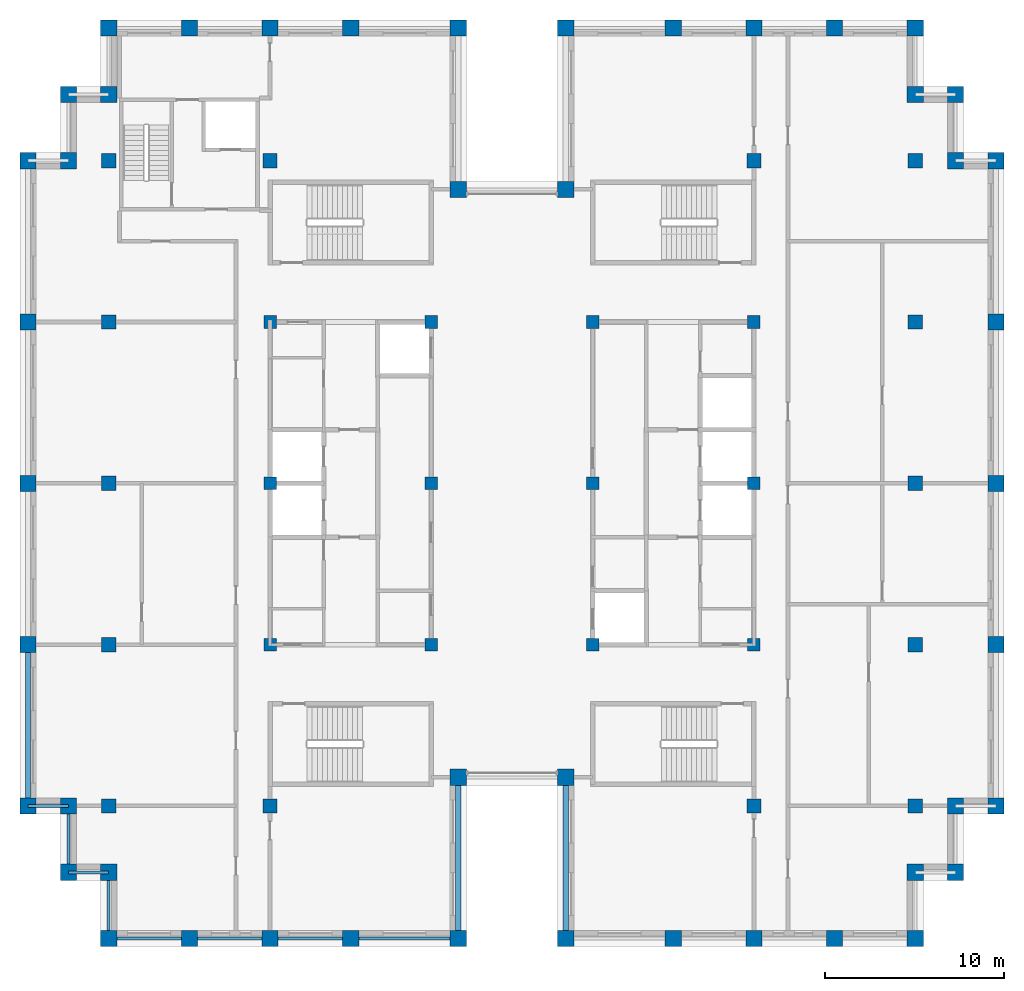
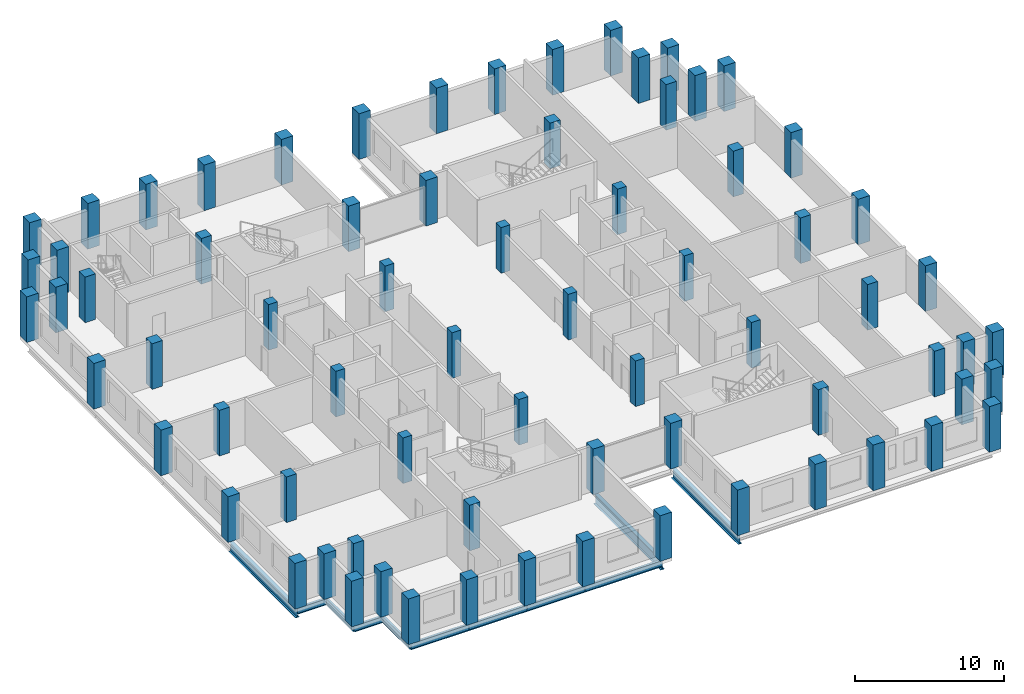
# One storey, part 1 of 13: 72 columns, 11 beams.
"""IFC4 building model written with IfcOpenShell, lengths in metres."""

from ifc_helpers import new_model, si_unit, direction, frame, origin, origin_2d, place, context, subcontext, project, spatial, rectangle, i_section, extrude, material, material_profile, profile_set, type_object, element, save


model = new_model("IFC4")

# Units and contexts
model_context = context("Model", 3, precision=1e-05, world=origin(), true_north=direction((0.0, 1.0)))
body_context = subcontext(model_context, "Body", "Model", "MODEL_VIEW")
ifc_project = project(units=[si_unit("LENGTHUNIT", "METRE"), si_unit("AREAUNIT", "SQUARE_METRE"), si_unit("VOLUMEUNIT", "CUBIC_METRE"), si_unit("PLANEANGLEUNIT", "RADIAN"), si_unit("MASSUNIT", "GRAM", prefix="KILO")], contexts=[model_context])

# Site, building, storey
site_placement = place(None, origin())
site = spatial("IfcSite", under=ifc_project, at=site_placement, CompositionType="ELEMENT")
building_placement = place(site_placement, origin())
building = spatial("IfcBuilding", under=site, at=building_placement, Name="Corbelhall Arena Tower", CompositionType="ELEMENT")
storey_placement = place(building_placement, frame((0.0, 0.0, 330.0)))
storey = spatial("IfcBuildingStorey", under=building, at=storey_placement, Name="L72", CompositionType="ELEMENT", Elevation=330.0)

# Columns
ifc_material_1 = material(Name="Concrete C80/95", Category="concrete")
ifc_material_profile_1 = material_profile(ifc_material_1, rectangle(XDim=0.699951171875, YDim=0.699951171875, at=origin_2d()))
ifc_profile_set_1 = profile_set([ifc_material_profile_1], Name="Concrete C80/95")
column_type_1 = type_object("IfcColumnType", Name="ST-COL-RC 700x700", PredefinedType="COLUMN", material=ifc_profile_set_1)
for number, where, z_axis, x_axis, name in (
    (1, (4.5, 0.0, 0.0), (0.0, 0.0, 1.0), (1.0, 0.0, 0.0), "Column KE+0450+0000"),
    (2, (4.5, 9.0, 0.0), (0.0, 0.0, 1.0), (1.0, 0.0, 0.0), "Column KE+0450+0900"),
    (3, (4.5, -9.0, 0.0), (0.0, 0.0, 1.0), (1.0, 0.0, 0.0), "Column KE+0450-0900"),
    (4, (13.5, 0.0, 0.0), (0.0, 0.0, 1.0), (1.0, 0.0, 0.0), "Column KE+1350+0000"),
    (5, (13.5, 9.0, 0.0), (0.0, 0.0, 1.0), (1.0, 0.0, 0.0), "Column KE+1350+0900"),
    (6, (13.5, -9.0, 0.0), (0.0, 0.0, 1.0), (1.0, 0.0, 0.0), "Column KE+1350-0900"),
    (7, (-4.5, 0.0, 0.0), (0.0, 0.0, 1.0), (1.0, 0.0, 0.0), "Column KW-0450+0000"),
    (8, (-4.5, 9.0, 0.0), (0.0, 0.0, 1.0), (1.0, 0.0, 0.0), "Column KW-0450+0900"),
    (9, (-4.5, -9.0, 0.0), (0.0, 0.0, 1.0), (1.0, 0.0, 0.0), "Column KW-0450-0900"),
    (10, (-13.5, 0.0, 0.0), (0.0, 0.0, 1.0), (1.0, 0.0, 0.0), "Column KW-1350+0000"),
    (11, (-13.5, 9.0, 0.0), (0.0, 0.0, 1.0), (1.0, 0.0, 0.0), "Column KW-1350+0900"),
    (12, (-13.5, -9.0, 0.0), (0.0, 0.0, 1.0), (1.0, 0.0, 0.0), "Column KW-1350-0900"),
):
    element("IfcColumn", number, at=place(storey_placement, frame(where, z_axis=z_axis, x_axis=x_axis)), inside=storey, type_object=column_type_1, Name=name, PredefinedType="COLUMN", context=body_context, shape_type="SweptSolid", body=[
        extrude(rectangle(XDim=0.699951171875, YDim=0.699951171875, at=origin_2d()), origin(), (0.0, 0.0, 1.0), 3.739990234375),
    ])
ifc_material_profile_2 = material_profile(ifc_material_1, rectangle(XDim=0.800048828125, YDim=0.800048828125, at=origin_2d()))
ifc_profile_set_2 = profile_set([ifc_material_profile_2], Name="Concrete C80/95")
column_type_2 = type_object("IfcColumnType", Name="ST-COL-RC 800x800", PredefinedType="COLUMN", material=ifc_profile_set_2)
for number, where, z_axis, x_axis, name in (
    (13, (13.5, 18.0, 0.0), (0.0, 0.0, 1.0), (1.0, 0.0, 0.0), "Column IE13+1800"),
    (14, (13.5, -18.0, 0.0), (0.0, 0.0, 1.0), (1.0, 0.0, 0.0), "Column IE13-1800"),
    (15, (22.5, 0.0, 0.0), (0.0, 0.0, 1.0), (1.0, 0.0, 0.0), "Column IE22+0000"),
    (16, (22.5, 9.0, 0.0), (0.0, 0.0, 1.0), (1.0, 0.0, 0.0), "Column IE22+0900"),
    (17, (22.5, 18.0, 0.0), (0.0, 0.0, 1.0), (1.0, 0.0, 0.0), "Column IE22+1800"),
    (18, (22.5, -9.0, 0.0), (0.0, 0.0, 1.0), (1.0, 0.0, 0.0), "Column IE22-0900"),
    (19, (22.5, -18.0, 0.0), (0.0, 0.0, 1.0), (1.0, 0.0, 0.0), "Column IE22-1800"),
    (20, (-13.5, 18.0, 0.0), (0.0, 0.0, 1.0), (1.0, 0.0, 0.0), "Column IW13+1800"),
    (21, (-13.5, -18.0, 0.0), (0.0, 0.0, 1.0), (1.0, 0.0, 0.0), "Column IW13-1800"),
    (22, (-22.5, 0.0, 0.0), (0.0, 0.0, 1.0), (1.0, 0.0, 0.0), "Column IW22+0000"),
    (23, (-22.5, 9.0, 0.0), (0.0, 0.0, 1.0), (1.0, 0.0, 0.0), "Column IW22+0900"),
    (24, (-22.5, 18.0, 0.0), (0.0, 0.0, 1.0), (1.0, 0.0, 0.0), "Column IW22+1800"),
    (25, (-22.5, -9.0, 0.0), (0.0, 0.0, 1.0), (1.0, 0.0, 0.0), "Column IW22-0900"),
    (26, (-22.5, -18.0, 0.0), (0.0, 0.0, 1.0), (1.0, 0.0, 0.0), "Column IW22-1800"),
):
    element("IfcColumn", number, at=place(storey_placement, frame(where, z_axis=z_axis, x_axis=x_axis)), inside=storey, type_object=column_type_2, Name=name, PredefinedType="COLUMN", context=body_context, shape_type="SweptSolid", body=[
        extrude(rectangle(XDim=0.800048828125, YDim=0.800048828125, at=origin_2d()), origin(), (0.0, 0.0, 1.0), 3.739990234375),
    ])
ifc_material_profile_3 = material_profile(ifc_material_1, rectangle(XDim=0.89990234375, YDim=0.89990234375, at=origin_2d()))
ifc_profile_set_3 = profile_set([ifc_material_profile_3], Name="Concrete C80/95")
column_type_3 = type_object("IfcColumnType", Name="ST-COL-RC 900x900", PredefinedType="COLUMN", material=ifc_profile_set_3)
for number, where, z_axis, x_axis, name in (
    (27, (27.0, 0.0, 0.0), (0.0, 0.0, 1.0), (0.0, 1.0, 0.0), "Column PE+0000"),
    (28, (27.0, 9.0, 0.0), (0.0, 0.0, 1.0), (0.0, 1.0, 0.0), "Column PE+0900"),
    (29, (27.0, 18.0, 0.0), (0.0, 0.0, 1.0), (0.0, 1.0, 0.0), "Column PE+1800"),
    (30, (27.0, -9.0, 0.0), (0.0, 0.0, 1.0), (0.0, 1.0, 0.0), "Column PE-0900"),
    (31, (27.0, -18.0, 0.0), (0.0, 0.0, 1.0), (0.0, 1.0, 0.0), "Column PE-1800"),
    (32, (3.0, 25.39990234375, 0.0), (0.0, 0.0, 1.0), (1.0, 0.0, 0.0), "Column PNE0300"),
    (33, (9.0, 25.39990234375, 0.0), (0.0, 0.0, 1.0), (1.0, 0.0, 0.0), "Column PNE0900"),
    (34, (13.5, 25.39990234375, 0.0), (0.0, 0.0, 1.0), (1.0, 0.0, 0.0), "Column PNE1350"),
    (35, (18.0, 25.39990234375, 0.0), (0.0, 0.0, 1.0), (1.0, 0.0, 0.0), "Column PNE1800"),
    (36, (22.5, 25.39990234375, 0.0), (0.0, 0.0, 1.0), (1.0, 0.0, 0.0), "Column PNE2250"),
    (37, (-3.0, 25.39990234375, 0.0), (0.0, 0.0, 1.0), (1.0, 0.0, 0.0), "Column PNW0300"),
    (38, (-9.0, 25.39990234375, 0.0), (0.0, 0.0, 1.0), (1.0, 0.0, 0.0), "Column PNW0900"),
    (39, (-13.5, 25.39990234375, 0.0), (0.0, 0.0, 1.0), (1.0, 0.0, 0.0), "Column PNW1350"),
    (40, (-18.0, 25.39990234375, 0.0), (0.0, 0.0, 1.0), (1.0, 0.0, 0.0), "Column PNW1800"),
    (41, (-22.5, 25.39990234375, 0.0), (0.0, 0.0, 1.0), (1.0, 0.0, 0.0), "Column PNW2250"),
    (42, (3.0, -25.39990234375, 0.0), (0.0, 0.0, 1.0), (1.0, 0.0, 0.0), "Column PSE0300"),
    (43, (9.0, -25.39990234375, 0.0), (0.0, 0.0, 1.0), (1.0, 0.0, 0.0), "Column PSE0900"),
    (44, (13.5, -25.39990234375, 0.0), (0.0, 0.0, 1.0), (1.0, 0.0, 0.0), "Column PSE1350"),
    (45, (18.0, -25.39990234375, 0.0), (0.0, 0.0, 1.0), (1.0, 0.0, 0.0), "Column PSE1800"),
    (46, (22.5, -25.39990234375, 0.0), (0.0, 0.0, 1.0), (1.0, 0.0, 0.0), "Column PSE2250"),
    (47, (-3.0, -25.39990234375, 0.0), (0.0, 0.0, 1.0), (1.0, 0.0, 0.0), "Column PSW0300"),
    (48, (-9.0, -25.39990234375, 0.0), (0.0, 0.0, 1.0), (1.0, 0.0, 0.0), "Column PSW0900"),
    (49, (-13.5, -25.39990234375, 0.0), (0.0, 0.0, 1.0), (1.0, 0.0, 0.0), "Column PSW1350"),
    (50, (-18.0, -25.39990234375, 0.0), (0.0, 0.0, 1.0), (1.0, 0.0, 0.0), "Column PSW1800"),
    (51, (-22.5, -25.39990234375, 0.0), (0.0, 0.0, 1.0), (1.0, 0.0, 0.0), "Column PSW2250"),
    (52, (-27.0, 0.0, 0.0), (0.0, 0.0, 1.0), (0.0, 1.0, 0.0), "Column PW+0000"),
    (53, (-27.0, 9.0, 0.0), (0.0, 0.0, 1.0), (0.0, 1.0, 0.0), "Column PW+0900"),
    (54, (-27.0, 18.0, 0.0), (0.0, 0.0, 1.0), (0.0, 1.0, 0.0), "Column PW+1800"),
    (55, (-27.0, -9.0, 0.0), (0.0, 0.0, 1.0), (0.0, 1.0, 0.0), "Column PW-0900"),
    (56, (-27.0, -18.0, 0.0), (0.0, 0.0, 1.0), (0.0, 1.0, 0.0), "Column PW-1800"),
    (57, (3.0, 16.39990234375, 0.0), (0.0, 0.0, 1.0), (1.0, 0.0, 0.0), "Column SLNE2"),
    (58, (-3.0, 16.39990234375, 0.0), (0.0, 0.0, 1.0), (1.0, 0.0, 0.0), "Column SLNW2"),
    (59, (3.0, -16.39990234375, 0.0), (0.0, 0.0, 1.0), (1.0, 0.0, 0.0), "Column SLSE2"),
    (60, (-3.0, -16.39990234375, 0.0), (0.0, 0.0, 1.0), (1.0, 0.0, 0.0), "Column SLSW2"),
    (61, (22.5, 21.699951171875, 0.0), (0.0, 0.0, 1.0), (1.0, 0.0, 0.0), "Column XNE1"),
    (62, (24.75, 21.699951171875, 0.0), (0.0, 0.0, 1.0), (1.0, 0.0, 0.0), "Column XNE2"),
    (63, (24.75, 18.0, 0.0), (0.0, 0.0, 1.0), (1.0, 0.0, 0.0), "Column XNE3"),
    (64, (-22.5, 21.699951171875, 0.0), (0.0, 0.0, 1.0), (1.0, 0.0, 0.0), "Column XNW1"),
    (65, (-24.75, 21.699951171875, 0.0), (0.0, 0.0, 1.0), (1.0, 0.0, 0.0), "Column XNW2"),
    (66, (-24.75, 18.0, 0.0), (0.0, 0.0, 1.0), (1.0, 0.0, 0.0), "Column XNW3"),
    (67, (22.5, -21.699951171875, 0.0), (0.0, 0.0, 1.0), (1.0, 0.0, 0.0), "Column XSE1"),
    (68, (24.75, -21.699951171875, 0.0), (0.0, 0.0, 1.0), (1.0, 0.0, 0.0), "Column XSE2"),
    (69, (24.75, -18.0, 0.0), (0.0, 0.0, 1.0), (1.0, 0.0, 0.0), "Column XSE3"),
    (70, (-22.5, -21.699951171875, 0.0), (0.0, 0.0, 1.0), (1.0, 0.0, 0.0), "Column XSW1"),
    (71, (-24.75, -21.699951171875, 0.0), (0.0, 0.0, 1.0), (1.0, 0.0, 0.0), "Column XSW2"),
    (72, (-24.75, -18.0, 0.0), (0.0, 0.0, 1.0), (1.0, 0.0, 0.0), "Column XSW3"),
):
    element("IfcColumn", number, at=place(storey_placement, frame(where, z_axis=z_axis, x_axis=x_axis)), inside=storey, type_object=column_type_3, Name=name, PredefinedType="COLUMN", context=body_context, shape_type="SweptSolid", body=[
        extrude(rectangle(XDim=0.89990234375, YDim=0.89990234375, at=origin_2d()), origin(), (0.0, 0.0, 1.0), 3.739990234375),
    ])

# Beams
ifc_material_2 = material(Name="Steel ASTM A992 Gr50", Category="steel")
ifc_material_profile_4 = material_profile(ifc_material_2, i_section(OverallWidth=0.16650390625, OverallDepth=0.535888671875, WebThickness=0.01025390625, FlangeThickness=0.0166015625, at=origin_2d()))
ifc_profile_set_4 = profile_set([ifc_material_profile_4], Name="Steel ASTM A992 Gr50")
beam_type_1 = type_object("IfcBeamType", Name="ST-SPANDREL-W21x57", PredefinedType="SPANDREL", material=ifc_profile_set_4)
beam_1_placement = place(storey_placement, frame((-3.0, -25.39990234375, -0.528076171875), z_axis=(-1.0, 0.0, 0.0), x_axis=(0.0, -1.0, 0.0)))
element("IfcBeam", 73, at=beam_1_placement, inside=storey, type_object=beam_type_1, Name="Beam SP 21", PredefinedType="SPANDREL", context=body_context, shape_type="SweptSolid", body=[
    extrude(i_section(OverallWidth=0.16650390625, OverallDepth=0.535888671875, WebThickness=0.01025390625, FlangeThickness=0.0166015625, at=origin_2d()), origin(), (0.0, 0.0, 1.0), 6.0),
])
for number, where, z_axis, x_axis, name in (
    (74, (-9.0, -25.39990234375, -0.528076171875), (-1.0, 0.0, 0.0), (0.0, -1.0, 0.0), "Beam SP 22"),
    (75, (-13.5, -25.39990234375, -0.528076171875), (-1.0, 0.0, 0.0), (0.0, -1.0, 0.0), "Beam SP 23"),
    (76, (-18.0, -25.39990234375, -0.528076171875), (-1.0, 0.0, 0.0), (0.0, -1.0, 0.0), "Beam SP 24"),
):
    element("IfcBeam", number, at=place(storey_placement, frame(where, z_axis=z_axis, x_axis=x_axis)), inside=storey, type_object=beam_type_1, Name=name, PredefinedType="SPANDREL", context=body_context, shape_type="SweptSolid", body=[
        extrude(i_section(OverallWidth=0.16650390625, OverallDepth=0.535888671875, WebThickness=0.01025390625, FlangeThickness=0.0166015625, at=origin_2d()), origin(), (0.0, 0.0, 1.0), 4.5),
    ])
beam_2_placement = place(storey_placement, frame((-22.5, -25.39990234375, -0.528076171875), z_axis=(0.0, 1.0, 0.0), x_axis=(-1.0, 0.0, 0.0)))
element("IfcBeam", 77, at=beam_2_placement, inside=storey, type_object=beam_type_1, Name="Beam SP 25", PredefinedType="SPANDREL", context=body_context, shape_type="SweptSolid", body=[
    extrude(i_section(OverallWidth=0.16650390625, OverallDepth=0.535888671875, WebThickness=0.01025390625, FlangeThickness=0.0166015625, at=origin_2d()), origin(), (0.0, 0.0, 1.0), 3.699951171875),
])
beam_3_placement = place(storey_placement, frame((-22.5, -21.699951171875, -0.528076171875), z_axis=(-1.0, 0.0, 0.0), x_axis=(0.0, -1.0, 0.0)))
element("IfcBeam", 78, at=beam_3_placement, inside=storey, type_object=beam_type_1, Name="Beam SP 44", PredefinedType="SPANDREL", context=body_context, shape_type="SweptSolid", body=[
    extrude(i_section(OverallWidth=0.16650390625, OverallDepth=0.535888671875, WebThickness=0.01025390625, FlangeThickness=0.0166015625, at=origin_2d()), origin(), (0.0, 0.0, 1.0), 2.25),
])
beam_4_placement = place(storey_placement, frame((-24.75, -21.699951171875, -0.528076171875), z_axis=(0.0, 1.0, 0.0), x_axis=(-1.0, 0.0, 0.0)))
element("IfcBeam", 79, at=beam_4_placement, inside=storey, type_object=beam_type_1, Name="Beam SP 45", PredefinedType="SPANDREL", context=body_context, shape_type="SweptSolid", body=[
    extrude(i_section(OverallWidth=0.16650390625, OverallDepth=0.535888671875, WebThickness=0.01025390625, FlangeThickness=0.0166015625, at=origin_2d()), origin(), (0.0, 0.0, 1.0), 3.699951171875),
])
beam_5_placement = place(storey_placement, frame((-24.75, -18.0, -0.528076171875), z_axis=(-1.0, 0.0, 0.0), x_axis=(0.0, -1.0, 0.0)))
element("IfcBeam", 80, at=beam_5_placement, inside=storey, type_object=beam_type_1, Name="Beam SP 46", PredefinedType="SPANDREL", context=body_context, shape_type="SweptSolid", body=[
    extrude(i_section(OverallWidth=0.16650390625, OverallDepth=0.535888671875, WebThickness=0.01025390625, FlangeThickness=0.0166015625, at=origin_2d()), origin(), (0.0, 0.0, 1.0), 2.25),
])
ifc_material_profile_5 = material_profile(ifc_material_2, i_section(OverallWidth=0.2919921875, OverallDepth=0.845703125, WebThickness=0.015380859375, FlangeThickness=0.0244140625, at=origin_2d()))
ifc_profile_set_5 = profile_set([ifc_material_profile_5], Name="Steel ASTM A992 Gr50")
beam_type_2 = type_object("IfcBeamType", Name="ST-SPANDREL-W33x141", PredefinedType="SPANDREL", material=ifc_profile_set_5)
for number, where, z_axis, x_axis, name in (
    (81, (3.0, -25.39990234375, -0.682861328125), (0.0, 1.0, 0.0), (-1.0, 0.0, 0.0), "Beam SP 16"),
    (82, (-27.0, -18.0, -0.682861328125), (0.0, 1.0, 0.0), (-1.0, 0.0, 0.0), "Beam SP 30"),
    (83, (-3.0, -16.39990234375, -0.682861328125), (0.0, -1.0, 0.0), (1.0, 0.0, 0.0), "Beam SP 34"),
):
    element("IfcBeam", number, at=place(storey_placement, frame(where, z_axis=z_axis, x_axis=x_axis)), inside=storey, type_object=beam_type_2, Name=name, PredefinedType="SPANDREL", context=body_context, shape_type="SweptSolid", body=[
        extrude(i_section(OverallWidth=0.2919921875, OverallDepth=0.845703125, WebThickness=0.015380859375, FlangeThickness=0.0244140625, at=origin_2d()), origin(), (0.0, 0.0, 1.0), 9.0),
    ])

save(model, "model.ifc")
